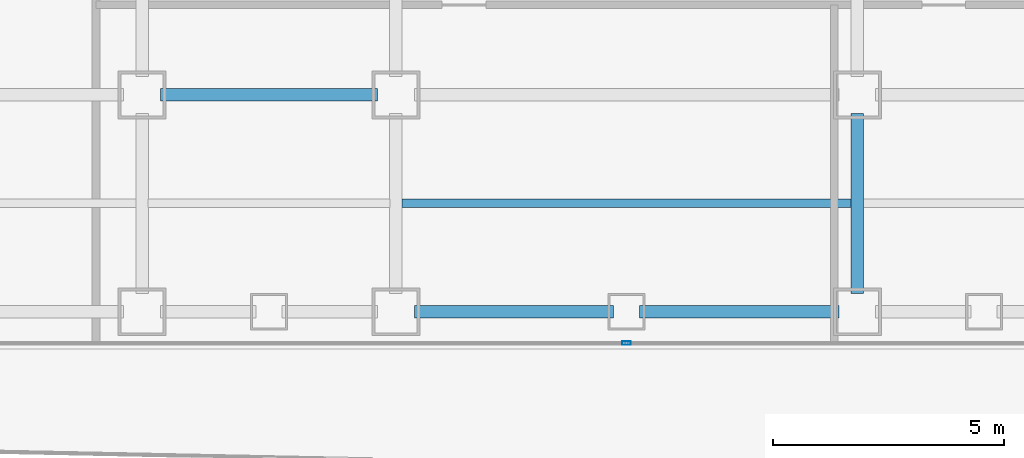
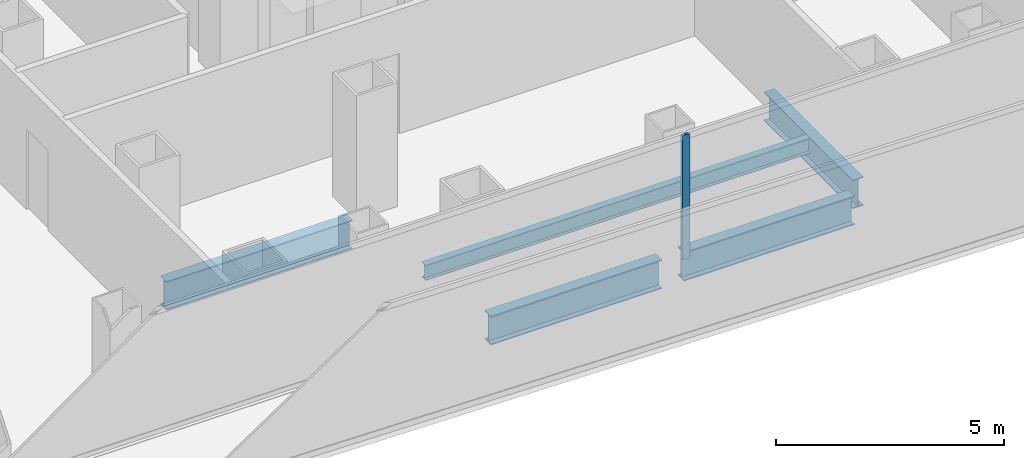
# One storey, part 4 of 21: 5 beams, 1 member, 1 element without a shape of its own.
"""IFC4 building model written with IfcOpenShell, lengths in metres."""

from ifc_helpers import new_model, si_unit, direction, frame, origin, origin_2d, place, context, subcontext, project, spatial, hollow_rectangle, i_section, extrude, source, transform, mapped, material, layer, layer_set, material_profile, profile_set, type_object, element, aggregate, save


model = new_model("IFC4")

# Units and contexts
model_context = context("Model", 3, precision=1e-05, world=origin(), true_north=direction((0.0, 1.0)))
body_context = subcontext(model_context, "Body", "Model", "MODEL_VIEW")
ifc_project = project(units=[si_unit("LENGTHUNIT", "METRE"), si_unit("AREAUNIT", "SQUARE_METRE"), si_unit("VOLUMEUNIT", "CUBIC_METRE"), si_unit("PLANEANGLEUNIT", "RADIAN"), si_unit("MASSUNIT", "GRAM", prefix="KILO")], contexts=[model_context])

# Site, building, storey
site_placement = place(None, origin())
site = spatial("IfcSite", under=ifc_project, at=site_placement, CompositionType="ELEMENT")
building_placement = place(site_placement, origin())
building = spatial("IfcBuilding", under=site, at=building_placement, Name="Kolveth Station Tower", CompositionType="ELEMENT")
storey_placement = place(building_placement, frame((0.0, 0.0, 62.10009765625)))
storey = spatial("IfcBuildingStorey", under=building, at=storey_placement, Name="L16", CompositionType="ELEMENT", Elevation=62.10009765625)

# Beams
ifc_material_1 = material(Name="Steel S355", Category="steel")
ifc_material_profile_1 = material_profile(ifc_material_1, i_section(OverallWidth=0.26904296875, OverallDepth=0.77490234375, WebThickness=0.01708984375, FlangeThickness=0.0283203125, at=origin_2d()), Name="W760x220")
ifc_profile_set_1 = profile_set([ifc_material_profile_1], Name="Steel S355")
beam_type_1 = type_object("IfcBeamType", Name="Beam_SP1", PredefinedType="SPANDREL", material=ifc_profile_set_1)
shared_shape_1 = source(origin(), body_context, "Body", "SweptSolid", [
    extrude(i_section(OverallWidth=0.26904296875, OverallDepth=0.77490234375, WebThickness=0.01708984375, FlangeThickness=0.0283203125, at=origin_2d()), origin(), (0.0, 0.0, 1.0), 4.320068359375),
])
for number, where, z_axis, x_axis, name in (
    (1, (18.89990234375, 0.800048828125, -0.66748046875), (1.0, 0.0, 0.0), (0.0, 1.0, 0.0), "L16 Perimeter Spandrel BM-L16-PS-5"),
    (2, (23.780029296875, 0.800048828125, -0.66748046875), (1.0, 0.0, 0.0), (0.0, 1.0, 0.0), "L16 Perimeter Spandrel BM-L16-PS-6"),
):
    element("IfcBeam", number, at=place(storey_placement, frame(where, z_axis=z_axis, x_axis=x_axis)), inside=storey, type_object=beam_type_1, Name=name, PredefinedType="SPANDREL", context=body_context, shape_type="MappedRepresentation", body=[
        mapped(shared_shape_1, transform((0.0, 0.0, 0.0), x_axis=(1.0, 0.0, 0.0), y_axis=(0.0, 1.0, 0.0), z_axis=(0.0, 0.0, 1.0), scale=1.0)),
    ])
ifc_material_profile_2 = material_profile(ifc_material_1, i_section(OverallWidth=0.26708984375, OverallDepth=0.76611328125, WebThickness=0.014892578125, FlangeThickness=0.023681640625, at=origin_2d()), Name="W760x185")
ifc_profile_set_2 = profile_set([ifc_material_profile_2], Name="Steel S355")
beam_type_2 = type_object("IfcBeamType", Name="Beam_B3", PredefinedType="BEAM", material=ifc_profile_set_2)
shared_shape_2 = source(origin(), body_context, "Body", "SweptSolid", [
    extrude(i_section(OverallWidth=0.26708984375, OverallDepth=0.76611328125, WebThickness=0.014892578125, FlangeThickness=0.023681640625, at=origin_2d()), origin(), (0.0, 0.0, 1.0), 4.7001953125),
])
beam_1_placement = place(storey_placement, frame((13.39990234375, 5.5, -0.6630859375), z_axis=(1.0, 0.0, 0.0), x_axis=(0.0, 1.0, 0.0)))
element("IfcBeam", 3, at=beam_1_placement, inside=storey, type_object=beam_type_2, Name="L16 Primary Girder BM-L16-GY55-3", PredefinedType="BEAM", context=body_context, shape_type="MappedRepresentation", body=[
    mapped(shared_shape_2, transform((0.0, 0.0, 0.0), x_axis=(1.0, 0.0, 0.0), y_axis=(0.0, 1.0, 0.0), z_axis=(0.0, 0.0, 1.0), scale=1.0)),
])
shared_shape_3 = source(origin(), body_context, "Body", "SweptSolid", [
    extrude(i_section(OverallWidth=0.26708984375, OverallDepth=0.76611328125, WebThickness=0.014892578125, FlangeThickness=0.023681640625, at=origin_2d()), origin(), (0.0, 0.0, 1.0), 3.900146484375),
])
beam_2_placement = place(storey_placement, frame((28.5, 1.199951171875, -0.6630859375), z_axis=(0.0, 1.0, 0.0), x_axis=(-1.0, 0.0, 0.0)))
element("IfcBeam", 4, at=beam_2_placement, inside=storey, type_object=beam_type_2, Name="L16 Primary Girder BM-L16-GX285-1", PredefinedType="BEAM", context=body_context, shape_type="MappedRepresentation", body=[
    mapped(shared_shape_3, transform((0.0, 0.0, 0.0), x_axis=(1.0, 0.0, 0.0), y_axis=(0.0, 1.0, 0.0), z_axis=(0.0, 0.0, 1.0), scale=1.0)),
])
ifc_material_profile_3 = material_profile(ifc_material_1, i_section(OverallWidth=0.177978515625, OverallDepth=0.406982421875, WebThickness=0.0078125, FlangeThickness=0.0126953125, at=origin_2d()), Name="W410x60")
ifc_profile_set_3 = profile_set([ifc_material_profile_3], Name="Steel S355")
beam_type_3 = type_object("IfcBeamType", Name="Beam_J1", PredefinedType="JOIST", material=ifc_profile_set_3)
shared_shape_4 = source(origin(), body_context, "Body", "SweptSolid", [
    extrude(i_section(OverallWidth=0.177978515625, OverallDepth=0.406982421875, WebThickness=0.0078125, FlangeThickness=0.0126953125, at=origin_2d()), origin(), (0.0, 0.0, 1.0), 9.73681640625),
])
beam_3_placement = place(storey_placement, frame((18.631591796875, 3.14990234375, -0.483642578125), z_axis=(1.0, 0.0, 0.0), x_axis=(0.0, 1.0, 0.0)))
element("IfcBeam", 5, at=beam_3_placement, inside=storey, type_object=beam_type_3, Name="L16 Secondary Joist JST-L16-4-1", PredefinedType="JOIST", context=body_context, shape_type="MappedRepresentation", body=[
    mapped(shared_shape_4, transform((0.0, 0.0, 0.0), x_axis=(1.0, 0.0, 0.0), y_axis=(0.0, 1.0, 0.0), z_axis=(0.0, 0.0, 1.0), scale=1.0)),
])

# Curtain wall, member
ifc_material_2 = material(Name="Aluminium 6063-T6 and low-E dark glass", Category="aluminium")
ifc_layer = layer(ifc_material_2, 0.179931640625)
ifc_layer_set = layer_set([ifc_layer], Name="Aluminium 6063-T6 and low-E dark glass")
curtain_wall_type = type_object("IfcCurtainWallType", Name="CurtainWall_CW-Z1", PredefinedType="NOTDEFINED", material=ifc_layer_set)
curtain_wall_placement = place(storey_placement, origin())
curtain_wall = element("IfcCurtainWall", 6, at=curtain_wall_placement, inside=storey, type_object=curtain_wall_type, Name="L16 Inner Thermal Curtain Wall 12", PredefinedType="NOTDEFINED")
ifc_material_3 = material(Name="Black anodized aluminium 6063-T6", Category="aluminium")
ifc_material_profile_4 = material_profile(ifc_material_3, hollow_rectangle(XDim=0.074951171875, YDim=0.18994140625, WallThickness=0.0048828125, at=origin_2d()), Name="ALU-75x190x5")
ifc_profile_set_4 = profile_set([ifc_material_profile_4], Name="Black anodized aluminium 6063-T6")
member_type = type_object("IfcMemberType", Name="Mullion_ML1", PredefinedType="MULLION", material=ifc_profile_set_4)
shared_shape_5 = source(origin(), body_context, "Body", "SweptSolid", [
    extrude(hollow_rectangle(XDim=0.074951171875, YDim=0.18994140625, WallThickness=0.0048828125, at=origin_2d()), origin(), (0.0, 0.0, 1.0), 3.31982421875),
])
member_placement = place(storey_placement, frame((23.5, 0.1201171875, 0.0), z_axis=(0.0, 0.0, 1.0), x_axis=(0.0, 1.0, 0.0)))
member = element("IfcMember", 7, at=member_placement, type_object=member_type, Name="CW-Z1 mullion 2", PredefinedType="MULLION", context=body_context, shape_type="MappedRepresentation", body=[
    mapped(shared_shape_5, transform((0.0, 0.0, 0.0), x_axis=(1.0, 0.0, 0.0), y_axis=(0.0, 1.0, 0.0), z_axis=(0.0, 0.0, 1.0), scale=1.0)),
])
aggregate(curtain_wall, [member])

save(model, "model.ifc")
